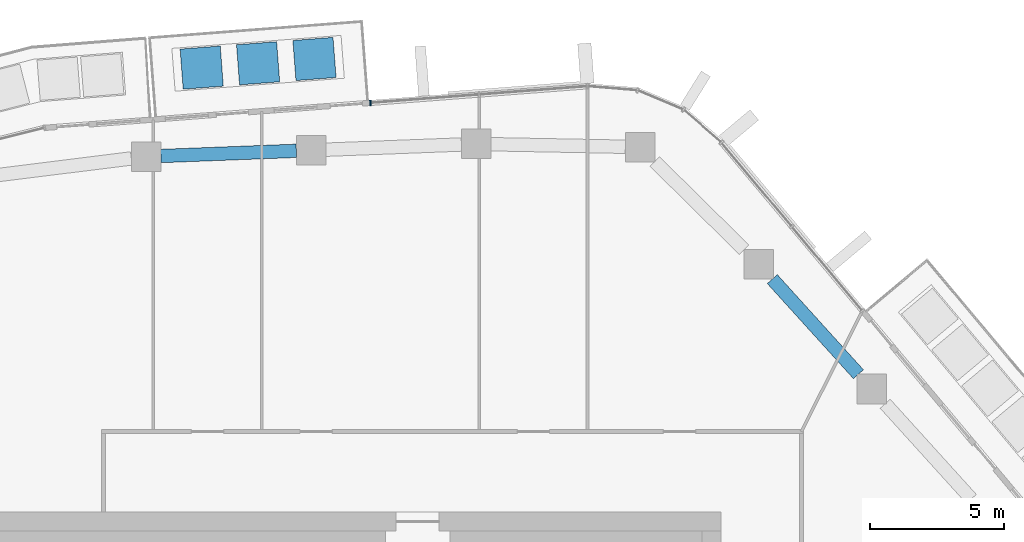
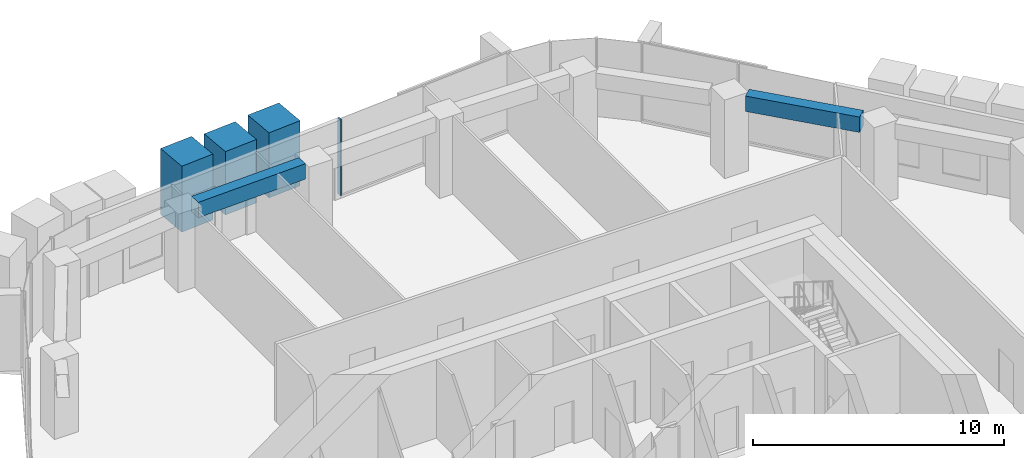
# One storey, part 7 of 20: 4 members, 2 beams, 1 element without a shape of its own.
"""IFC4 building model written with IfcOpenShell, lengths in metres."""

from ifc_helpers import new_model, si_unit, direction, frame, origin, origin_2d, place, context, subcontext, project, spatial, rectangle, extrude, material, layer, layer_set, material_profile, profile_set, type_object, element, aggregate, save


model = new_model("IFC4")

# Units and contexts
model_context = context("Model", 3, precision=1e-05, world=origin(), true_north=direction((0.0, 1.0)))
body_context = subcontext(model_context, "Body", "Model", "MODEL_VIEW")
ifc_project = project(units=[si_unit("LENGTHUNIT", "METRE"), si_unit("AREAUNIT", "SQUARE_METRE"), si_unit("VOLUMEUNIT", "CUBIC_METRE"), si_unit("PLANEANGLEUNIT", "RADIAN"), si_unit("MASSUNIT", "GRAM", prefix="KILO")], contexts=[model_context])

# Site, building, storey
site_placement = place(None, origin())
site = spatial("IfcSite", under=ifc_project, at=site_placement, CompositionType="ELEMENT")
building_placement = place(site_placement, origin())
building = spatial("IfcBuilding", under=site, at=building_placement, Name="Dongbaek Canopy Tower", CompositionType="ELEMENT")
storey_placement = place(building_placement, frame((0.0, 0.0, 245.39990234375)))
storey = spatial("IfcBuildingStorey", under=building, at=storey_placement, Name="L51", CompositionType="ELEMENT", Elevation=245.39990234375)

# Curtain wall, member
ifc_material_1 = material(Name="Aluminium 6063-T6 pale anodised", Category="aluminium")
ifc_layer = layer(ifc_material_1, 0.199951171875)
ifc_layer_set = layer_set([ifc_layer], Name="CW-1 unitised tower curtain wall")
curtain_wall_type = type_object("IfcCurtainWallType", Name="CW-1 unitised tower curtain wall", PredefinedType="NOTDEFINED", material=ifc_layer_set)
curtain_wall_placement = place(storey_placement, origin())
curtain_wall = element("IfcCurtainWall", 1, at=curtain_wall_placement, inside=storey, type_object=curtain_wall_type, Name="CW-1 curtain wall F1.1", PredefinedType="NOTDEFINED")
ifc_material_2 = material(Name="Aluminium 6063-T6 pale anodised", Category="aluminium")
ifc_material_profile_1 = material_profile(ifc_material_2, rectangle(XDim=0.199951171875, YDim=0.06005859375, at=origin_2d()), Name="CW-1 mullion 60 x 200")
ifc_profile_set_1 = profile_set([ifc_material_profile_1], Name="Aluminium 6063-T6 pale anodised")
member_type_1 = type_object("IfcMemberType", Name="CW-1 mullion 60 x 200", PredefinedType="MULLION", material=ifc_profile_set_1)
member_1_placement = place(storey_placement, frame((0.945068359375, 26.244873046875, 0.1201171875), z_axis=(0.0, 0.0, 1.0), x_axis=(-0.076518262748, 0.997068179949, 0.0)))
member_1 = element("IfcMember", 2, at=member_1_placement, type_object=member_type_1, Name="CW-1 mullion F1.1.3", PredefinedType="MULLION", context=body_context, shape_type="SweptSolid", body=[
    extrude(rectangle(XDim=0.199951171875, YDim=0.06005859375, at=origin_2d()), origin(), (0.0, 0.0, 1.0), 3.699951171875),
])
aggregate(curtain_wall, [member_1])

# Beams
ifc_material_3 = material(Name="Concrete C70", Category="concrete")
ifc_material_profile_2 = material_profile(ifc_material_3, rectangle(XDim=0.5, YDim=0.75, at=origin_2d()), Name="RC EDGE BEAM 500x750 C70")
ifc_profile_set_2 = profile_set([ifc_material_profile_2], Name="Concrete C70")
beam_type = type_object("IfcBeamType", Name="RC EDGE BEAM 500x750 C70", PredefinedType="BEAM", material=ifc_profile_set_2)
beam_1_placement = place(storey_placement, frame((-6.864990234375, 24.26416015625, 3.445068359375), z_axis=(0.999263812988, 0.038364463397, 0.0), x_axis=(-0.038364463397, 0.999263812988, 0.0)))
element("IfcBeam", 3, at=beam_1_placement, inside=storey, type_object=beam_type, Name="EDGEBEAM:L51:14", PredefinedType="BEAM", context=body_context, shape_type="SweptSolid", body=[
    extrude(rectangle(XDim=0.5, YDim=0.75, at=origin_2d()), origin(), (0.0, 0.0, 1.0), 5.052734375),
])
beam_2_placement = place(storey_placement, frame((15.916015625, 19.678955078125, 3.445068359375), z_axis=(0.671330225436, -0.741158369322, 0.0), x_axis=(0.741158369322, 0.671330225436, 0.0)))
element("IfcBeam", 4, at=beam_2_placement, inside=storey, type_object=beam_type, Name="EDGEBEAM:L51:18", PredefinedType="BEAM", context=body_context, shape_type="SweptSolid", body=[
    extrude(rectangle(XDim=0.5, YDim=0.75, at=origin_2d()), origin(), (0.0, 0.0, 1.0), 4.782958984375),
])

# Members
ifc_material_4 = material(Name="Concrete C40/50 planter mass with planting", Category="concrete")
ifc_material_profile_3 = material_profile(ifc_material_4, rectangle(XDim=1.5, YDim=1.5, at=origin_2d()), Name="Terrace PLANTER shrub mass 1500 x 1500")
ifc_profile_set_3 = profile_set([ifc_material_profile_3], Name="Concrete C40/50 planter mass with planting")
member_type_2 = type_object("IfcMemberType", Name="Terrace PLANTER shrub mass 1500 x 1500", PredefinedType="USERDEFINED", material=ifc_profile_set_3)
member_2_placement = place(storey_placement, frame((-1.139892578125, 27.880126953125, 0.420166015625), z_axis=(0.0, 0.0, 1.0), x_axis=(-0.076518262748, 0.997068179949, 0.0)))
element("IfcMember", 5, at=member_2_placement, inside=storey, type_object=member_type_2, Name="Planter shrubs L51 2.1", ObjectType="PLANTER", PredefinedType="USERDEFINED", context=body_context, shape_type="SweptSolid", body=[
    extrude(rectangle(XDim=1.5, YDim=1.5, at=origin_2d()), origin(), (0.0, 0.0, 1.0), 3.169921875),
])
member_3_placement = place(storey_placement, frame((-3.240966796875, 27.718994140625, 0.420166015625), z_axis=(0.0, 0.0, 1.0), x_axis=(-0.076518262748, 0.997068179949, 0.0)))
element("IfcMember", 6, at=member_3_placement, inside=storey, type_object=member_type_2, Name="Planter shrubs L51 2.2", ObjectType="PLANTER", PredefinedType="USERDEFINED", context=body_context, shape_type="SweptSolid", body=[
    extrude(rectangle(XDim=1.5, YDim=1.5, at=origin_2d()), origin(), (0.0, 0.0, 1.0), 3.08984375),
])
member_4_placement = place(storey_placement, frame((-5.342041015625, 27.5576171875, 0.420166015625), z_axis=(0.0, 0.0, 1.0), x_axis=(-0.076518262748, 0.997068179949, 0.0)))
element("IfcMember", 7, at=member_4_placement, inside=storey, type_object=member_type_2, Name="Planter shrubs L51 2.3", ObjectType="PLANTER", PredefinedType="USERDEFINED", context=body_context, shape_type="SweptSolid", body=[
    extrude(rectangle(XDim=1.5, YDim=1.5, at=origin_2d()), origin(), (0.0, 0.0, 1.0), 3.2099609375),
])

save(model, "model.ifc")
